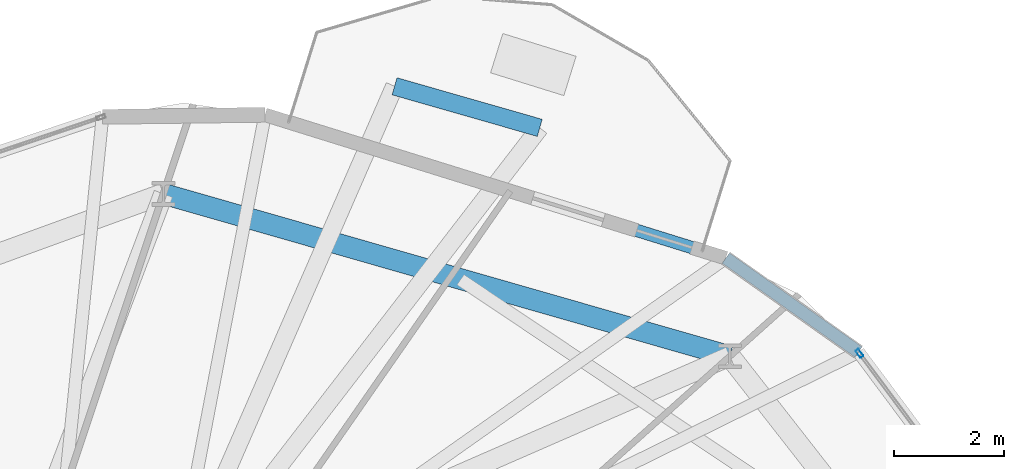
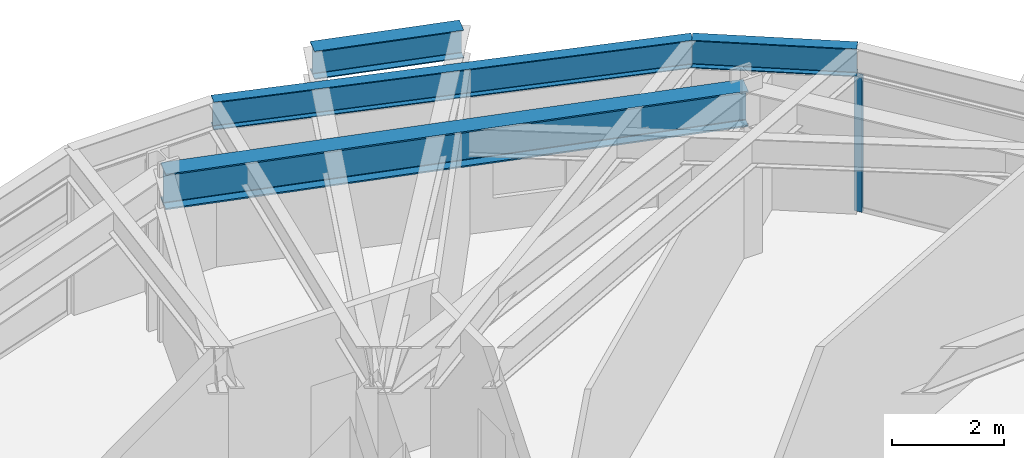
# One storey, part 17 of 25: 4 beams, 1 member, 1 element without a shape of its own.
"""IFC4 building model written with IfcOpenShell, lengths in metres."""

from ifc_helpers import new_model, si_unit, direction, frame, origin, origin_2d, place, context, subcontext, project, spatial, hollow_rectangle, i_section, extrude, material, layer, layer_set, material_profile, profile_set, type_object, element, aggregate, save


model = new_model("IFC4")

# Units and contexts
model_context = context("Model", 3, precision=1e-05, world=origin(), true_north=direction((0.0, 1.0)))
body_context = subcontext(model_context, "Body", "Model", "MODEL_VIEW")
ifc_project = project(units=[si_unit("LENGTHUNIT", "METRE"), si_unit("AREAUNIT", "SQUARE_METRE"), si_unit("VOLUMEUNIT", "CUBIC_METRE"), si_unit("PLANEANGLEUNIT", "RADIAN"), si_unit("MASSUNIT", "GRAM", prefix="KILO")], contexts=[model_context])

# Site, building, storey
site_placement = place(None, origin())
site = spatial("IfcSite", under=ifc_project, at=site_placement, CompositionType="ELEMENT")
building_placement = place(site_placement, origin())
building = spatial("IfcBuilding", under=site, at=building_placement, Name="Soratama Intermodal Tower", CompositionType="ELEMENT")
storey_placement = place(building_placement, frame((0.0, 0.0, 106.89990234375)))
storey = spatial("IfcBuildingStorey", under=building, at=storey_placement, Name="L25", CompositionType="ELEMENT", Elevation=106.89990234375)

# Beams
ifc_material_1 = material(Name="Structural steel ASTM A992 Grade 50", Category="steel")
ifc_material_profile_1 = material_profile(ifc_material_1, i_section(OverallWidth=0.324951171875, OverallDepth=0.615966796875, WebThickness=0.013916015625, FlangeThickness=0.021484375, FilletRadius=0.013916015625, at=origin_2d()), Name="W24X117")
ifc_profile_set_1 = profile_set([ifc_material_profile_1], Name="Structural steel ASTM A992 Grade 50")
beam_type_1 = type_object("IfcBeamType", Name="BM-CANT-W24X117", PredefinedType="BEAM", material=ifc_profile_set_1)
beam_1_placement = place(storey_placement, frame((51.260009765625, 43.593017578125, 3.2919921875), z_axis=(-0.961339907642, 0.275364453, 0.0), x_axis=(-0.275364453, -0.961339907642, 0.0)))
element("IfcBeam", 1, at=beam_1_placement, inside=storey, type_object=beam_type_1, Name="BM-L25-CBHDR-1", PredefinedType="BEAM", context=body_context, shape_type="SweptSolid", body=[
    extrude(i_section(OverallWidth=0.324951171875, OverallDepth=0.615966796875, WebThickness=0.013916015625, FlangeThickness=0.021484375, FilletRadius=0.013916015625, at=origin_2d()), origin(), (0.0, 0.0, 1.0), 2.75634765625),
])
ifc_material_2 = material(Name="Structural steel ASTM A992 Grade 50", Category="steel")
ifc_material_profile_2 = material_profile(ifc_material_2, i_section(OverallWidth=0.382080078125, OverallDepth=0.779052734375, WebThickness=0.01806640625, FlangeThickness=0.030029296875, FilletRadius=0.01806640625, at=origin_2d()), Name="W30X191")
ifc_profile_set_2 = profile_set([ifc_material_profile_2], Name="Structural steel ASTM A992 Grade 50")
beam_type_2 = type_object("IfcBeamType", Name="BM-RING-W30X191", PredefinedType="BEAM", material=ifc_profile_set_2)
beam_2_placement = place(storey_placement, frame((54.72998046875, 39.425048828125, 3.210693359375), z_axis=(-0.961266505995, 0.275620580604, 0.0), x_axis=(-0.275620580604, -0.961266505995, 0.0)))
element("IfcBeam", 2, at=beam_2_placement, inside=storey, type_object=beam_type_2, Name="BM-L25-RING-02", PredefinedType="BEAM", context=body_context, shape_type="SweptSolid", body=[
    extrude(i_section(OverallWidth=0.382080078125, OverallDepth=0.779052734375, WebThickness=0.01806640625, FlangeThickness=0.030029296875, FilletRadius=0.01806640625, at=origin_2d()), origin(), (0.0, 0.0, 1.0), 10.75341796875),
])
ifc_material_3 = material(Name="Structural steel ASTM A992 Grade 50", Category="steel")
ifc_material_profile_3 = material_profile(ifc_material_3, i_section(OverallWidth=0.22900390625, OverallDepth=0.612060546875, WebThickness=0.011962890625, FlangeThickness=0.01953125, FilletRadius=0.012939453125, at=origin_2d()), Name="W24X84")
ifc_profile_set_3 = profile_set([ifc_material_profile_3], Name="Structural steel ASTM A992 Grade 50")
beam_type_3 = type_object("IfcBeamType", Name="BM-SPN-W24X84", PredefinedType="SPANDREL", material=ifc_profile_set_3)
beam_3_placement = place(storey_placement, frame((57.077880859375, 39.501953125, 3.294189453125), z_axis=(-0.816244349889, 0.577706812557, 0.0), x_axis=(-0.577706812557, -0.816244349889, 0.0)))
element("IfcBeam", 3, at=beam_3_placement, inside=storey, type_object=beam_type_3, Name="BS-L25-CRN01", PredefinedType="SPANDREL", context=body_context, shape_type="SweptSolid", body=[
    extrude(i_section(OverallWidth=0.22900390625, OverallDepth=0.612060546875, WebThickness=0.011962890625, FlangeThickness=0.01953125, FilletRadius=0.012939453125, at=origin_2d()), origin(), (0.0, 0.0, 1.0), 2.967041015625),
])
beam_4_placement = place(storey_placement, frame((54.656005859375, 41.216064453125, 3.294189453125), z_axis=(-0.954892943834, 0.296950274988, 0.0), x_axis=(-0.296950274988, -0.954892943834, 0.0)))
element("IfcBeam", 4, at=beam_4_placement, inside=storey, type_object=beam_type_3, Name="BS-L25-F02", PredefinedType="SPANDREL", context=body_context, shape_type="SweptSolid", body=[
    extrude(i_section(OverallWidth=0.22900390625, OverallDepth=0.612060546875, WebThickness=0.011962890625, FlangeThickness=0.01953125, FilletRadius=0.012939453125, at=origin_2d()), origin(), (0.0, 0.0, 1.0), 8.80615234375),
])

# Curtain wall, member
ifc_material_4 = material(Name="Double-glazed aluminium curtain wall", Category="aluminium")
ifc_layer = layer(ifc_material_4, 0.159912109375)
ifc_layer_set = layer_set([ifc_layer], Name="Double-glazed aluminium curtain wall")
curtain_wall_type = type_object("IfcCurtainWallType", Name="CW-SYS-3", PredefinedType="NOTDEFINED", material=ifc_layer_set)
curtain_wall_placement = place(storey_placement, origin())
curtain_wall = element("IfcCurtainWall", 5, at=curtain_wall_placement, inside=storey, type_object=curtain_wall_type, Name="L25 Faceted Curtain Wall F01", PredefinedType="NOTDEFINED")
ifc_material_5 = material(Name="Anodised aluminium AA 6063-T6", Category="aluminium")
ifc_material_profile_4 = material_profile(ifc_material_5, hollow_rectangle(XDim=0.070068359375, YDim=0.159912109375, WallThickness=0.0048828125, InnerFilletRadius=0.0048828125, OuterFilletRadius=0.010009765625, at=origin_2d()), Name="CWM160X70X5")
ifc_profile_set_4 = profile_set([ifc_material_profile_4], Name="Anodised aluminium AA 6063-T6")
member_type = type_object("IfcMemberType", Name="MT-CWM-3", PredefinedType="MULLION", material=ifc_profile_set_4)
member_placement = place(storey_placement, frame((57.095458984375, 39.478271484375, 0.0), z_axis=(0.0, 0.0, 1.0), x_axis=(-0.801564290617, -0.597908595027, 0.0)))
member = element("IfcMember", 6, at=member_placement, type_object=member_type, Name="CW-3 mullion 3", PredefinedType="MULLION", context=body_context, shape_type="SweptSolid", body=[
    extrude(hollow_rectangle(XDim=0.070068359375, YDim=0.159912109375, WallThickness=0.0048828125, InnerFilletRadius=0.0048828125, OuterFilletRadius=0.010009765625, at=origin_2d()), origin(), (0.0, 0.0, 1.0), 2.97900390625),
])
aggregate(curtain_wall, [member])

save(model, "model.ifc")
